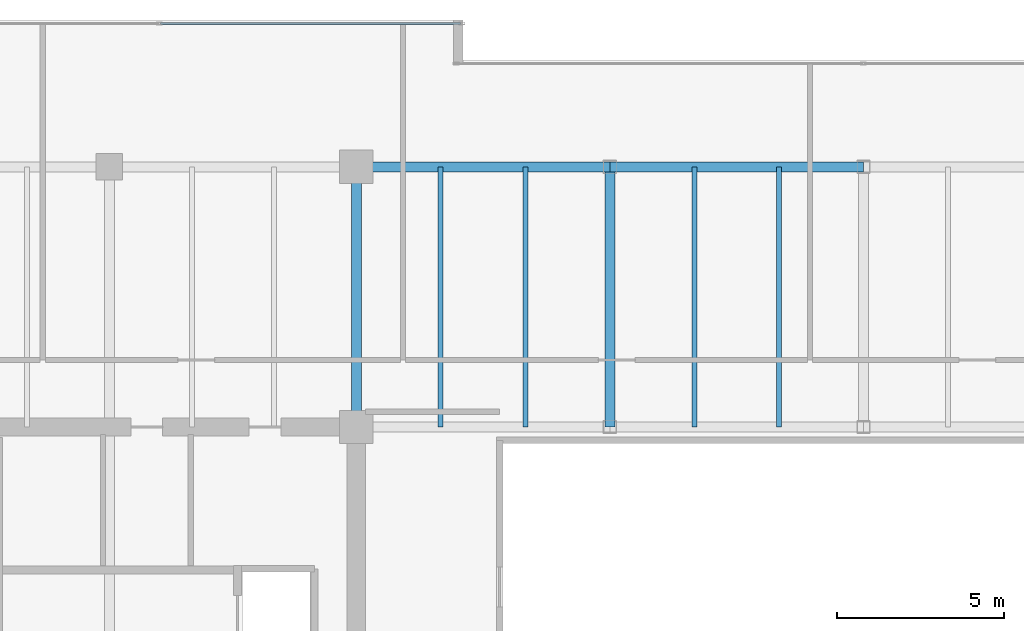
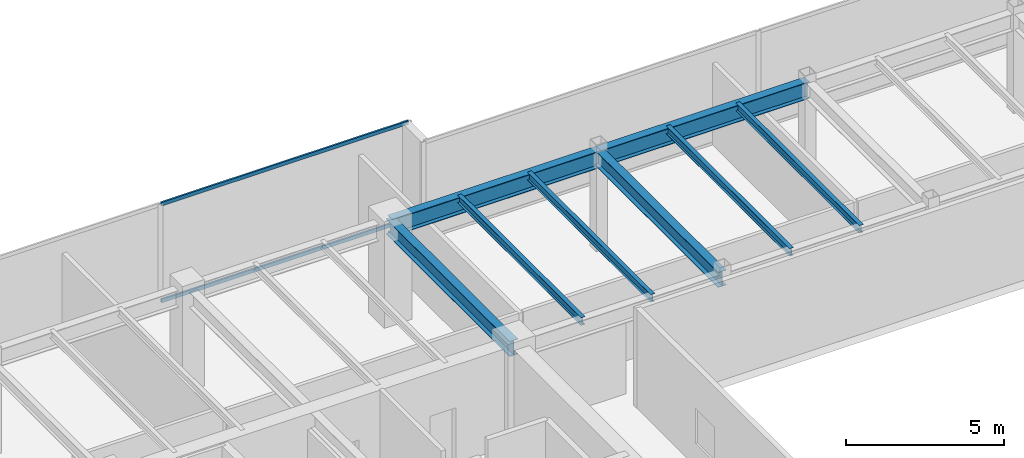
# One storey, part 16 of 33: 8 beams, 2 members, 1 element without a shape of its own.
"""IFC4 building model written with IfcOpenShell, lengths in metres."""

from ifc_helpers import new_model, si_unit, direction, frame, origin, origin_2d, place, context, subcontext, project, spatial, hollow_rectangle, i_section, extrude, source, transform, mapped, material, layer, layer_set, material_profile, profile_set, type_object, type_shapes, element, aggregate, save


model = new_model("IFC4")

# Units and contexts
model_context = context("Model", 3, precision=1e-05, world=origin(), true_north=direction((0.0, 1.0)))
body_context = subcontext(model_context, "Body", "Model", "MODEL_VIEW")
ifc_project = project(units=[si_unit("LENGTHUNIT", "METRE"), si_unit("AREAUNIT", "SQUARE_METRE"), si_unit("VOLUMEUNIT", "CUBIC_METRE"), si_unit("PLANEANGLEUNIT", "RADIAN"), si_unit("MASSUNIT", "GRAM", prefix="KILO")], contexts=[model_context])

# Site, building, storey
site_placement = place(None, origin())
site = spatial("IfcSite", under=ifc_project, at=site_placement, CompositionType="ELEMENT")
building_placement = place(site_placement, origin())
building = spatial("IfcBuilding", under=site, at=building_placement, Name="Haelvirn Gate Laboratories", CompositionType="ELEMENT")
storey_placement = place(building_placement, frame((0.0, 0.0, 230.10009765625)))
storey = spatial("IfcBuildingStorey", under=building, at=storey_placement, Name="L55", CompositionType="ELEMENT", Elevation=230.10009765625)

# Beams
ifc_material_1 = material(Name="Steel SM355", Category="steel")
ifc_material_profile_1 = material_profile(ifc_material_1, i_section(OverallWidth=0.14990234375, OverallDepth=0.300048828125, WebThickness=0.006591796875, FlangeThickness=0.009033203125, at=origin_2d()), Name="H-300x150x6.5x9")
ifc_profile_set_1 = profile_set([ifc_material_profile_1], Name="Steel SM355")
beam_type_1 = type_object("IfcBeamType", Name="BM-J-300", PredefinedType="JOIST", material=ifc_profile_set_1)
shared_shape_1 = source(origin(), body_context, "Body", "SweptSolid", [
    extrude(i_section(OverallWidth=0.14990234375, OverallDepth=0.300048828125, WebThickness=0.006591796875, FlangeThickness=0.009033203125, at=origin_2d()), origin(), (0.0, 0.0, 1.0), 7.800048828125),
])
type_shapes(beam_type_1, [shared_shape_1])
for number, where, z_axis, x_axis, name in (
    (1, (24.72998046875, 33.800048828125, 3.64990234375), (0.0, 1.0, 0.0), (-1.0, 0.0, 0.0), "L55 Composite Lab Joist North X24.73"),
    (2, (27.27001953125, 33.800048828125, 3.64990234375), (0.0, 1.0, 0.0), (-1.0, 0.0, 0.0), "L55 Composite Lab Joist North X27.27"),
    (3, (32.330078125, 33.800048828125, 3.64990234375), (0.0, 1.0, 0.0), (-1.0, 0.0, 0.0), "L55 Composite Lab Joist North X32.33"),
    (4, (34.8701171875, 33.800048828125, 3.64990234375), (0.0, 1.0, 0.0), (-1.0, 0.0, 0.0), "L55 Composite Lab Joist North X34.87"),
):
    element("IfcBeam", number, at=place(storey_placement, frame(where, z_axis=z_axis, x_axis=x_axis)), inside=storey, type_object=beam_type_1, Name=name, PredefinedType="JOIST", context=body_context, shape_type="MappedRepresentation", body=[
        mapped(shared_shape_1, transform((0.0, 0.0, 0.0), scale=1.0)),
    ])
ifc_material_profile_2 = material_profile(ifc_material_1, i_section(OverallWidth=0.300048828125, OverallDepth=0.587890625, WebThickness=0.011962890625, FlangeThickness=0.02001953125, at=origin_2d()), Name="H-588x300x12x20")
ifc_profile_set_2 = profile_set([ifc_material_profile_2], Name="Steel SM355")
beam_type_2 = type_object("IfcBeamType", Name="BM-G-588", PredefinedType="BEAM", material=ifc_profile_set_2)
shared_shape_2 = source(origin(), body_context, "Body", "SweptSolid", [
    extrude(i_section(OverallWidth=0.300048828125, OverallDepth=0.587890625, WebThickness=0.011962890625, FlangeThickness=0.02001953125, at=origin_2d()), origin(), (0.0, 0.0, 1.0), 7.800048828125),
])
type_shapes(beam_type_2, [shared_shape_2])
for number, where, z_axis, x_axis, name in (
    (5, (22.199951171875, 33.800048828125, 3.505859375), (0.0, 1.0, 0.0), (-1.0, 0.0, 0.0), "L55 Frame Girder X22.2 (33.8-41.6)"),
    (6, (29.800048828125, 33.800048828125, 3.505859375), (0.0, 1.0, 0.0), (-1.0, 0.0, 0.0), "L55 Frame Girder X29.8 (33.8-41.6)"),
):
    element("IfcBeam", number, at=place(storey_placement, frame(where, z_axis=z_axis, x_axis=x_axis)), inside=storey, type_object=beam_type_2, Name=name, PredefinedType="BEAM", context=body_context, shape_type="MappedRepresentation", body=[
        mapped(shared_shape_2, transform((0.0, 0.0, 0.0), scale=1.0)),
    ])
ifc_material_profile_3 = material_profile(ifc_material_1, i_section(OverallWidth=0.300048828125, OverallDepth=0.64990234375, WebThickness=0.012939453125, FlangeThickness=0.02197265625, at=origin_2d()), Name="H-650x300x13x22")
ifc_profile_set_3 = profile_set([ifc_material_profile_3], Name="Steel SM355")
beam_type_3 = type_object("IfcBeamType", Name="BM-G-650", PredefinedType="BEAM", material=ifc_profile_set_3)
shared_shape_3 = source(origin(), body_context, "Body", "SweptSolid", [
    extrude(i_section(OverallWidth=0.300048828125, OverallDepth=0.64990234375, WebThickness=0.012939453125, FlangeThickness=0.02197265625, at=origin_2d()), origin(), (0.0, 0.0, 1.0), 7.60009765625),
])
beam_1_placement = place(storey_placement, frame((22.199951171875, 41.60009765625, 3.474853515625), z_axis=(1.0, 0.0, 0.0), x_axis=(0.0, 1.0, 0.0)))
element("IfcBeam", 7, at=beam_1_placement, inside=storey, type_object=beam_type_3, Name="L55 Primary Girder Y41.6 (22.2-29.8)", PredefinedType="BEAM", context=body_context, shape_type="MappedRepresentation", body=[
    mapped(shared_shape_3, transform((0.0, 0.0, 0.0), scale=1.0)),
])
shared_shape_4 = source(origin(), body_context, "Body", "SweptSolid", [
    extrude(i_section(OverallWidth=0.300048828125, OverallDepth=0.64990234375, WebThickness=0.012939453125, FlangeThickness=0.02197265625, at=origin_2d()), origin(), (0.0, 0.0, 1.0), 7.599853515625),
])
type_shapes(beam_type_3, [shared_shape_3, shared_shape_4])
beam_2_placement = place(storey_placement, frame((29.800048828125, 41.60009765625, 3.474853515625), z_axis=(1.0, 0.0, 0.0), x_axis=(0.0, 1.0, 0.0)))
element("IfcBeam", 8, at=beam_2_placement, inside=storey, type_object=beam_type_3, Name="L55 Primary Girder Y41.6 (29.8-37.4)", PredefinedType="BEAM", context=body_context, shape_type="MappedRepresentation", body=[
    mapped(shared_shape_4, transform((0.0, 0.0, 0.0), scale=1.0)),
])

# Curtain wall, members
ifc_material_2 = material(Name="Anodised bronze unitised aluminium & triple low-E glass", Category="aluminium")
ifc_layer = layer(ifc_material_2, 0.176025390625, Name="CW-SYS-4")
ifc_layer_set = layer_set([ifc_layer], Name="Anodised bronze unitised aluminium & triple low-E glass")
curtain_wall_type = type_object("IfcCurtainWallType", Name="CW-SYS-4", PredefinedType="NOTDEFINED", material=ifc_layer_set)
curtain_wall_placement = place(storey_placement, origin())
curtain_wall = element("IfcCurtainWall", 9, at=curtain_wall_placement, inside=storey, type_object=curtain_wall_type, Name="L55 Unitised Curtain Wall CW-L55-P0-E14-1", PredefinedType="NOTDEFINED")
ifc_material_3 = material(Name="Extruded aluminium 6063-T6 (anodised bronze)", Category="aluminium")
ifc_material_profile_4 = material_profile(ifc_material_3, hollow_rectangle(XDim=0.06494140625, YDim=0.139892578125, WallThickness=0.00390625, at=origin_2d()), Name="CWT-140x65x4")
ifc_profile_set_4 = profile_set([ifc_material_profile_4], Name="Extruded aluminium 6063-T6 (anodised bronze)")
member_type = type_object("IfcMemberType", Name="CWT-T140", PredefinedType="USERDEFINED", material=ifc_profile_set_4)
shared_shape_5 = source(origin(), body_context, "Body", "SweptSolid", [
    extrude(hollow_rectangle(XDim=0.06494140625, YDim=0.139892578125, WallThickness=0.00390625, at=origin_2d()), origin(), (0.0, 0.0, 1.0), 8.9951171875),
])
type_shapes(member_type, [shared_shape_5])
member_1_placement = place(storey_placement, frame((16.3349609375, 45.89990234375, 0.032470703125), z_axis=(1.0, 0.0, 0.0), x_axis=(0.0, 1.0, 0.0)))
member_1 = element("IfcMember", 10, at=member_1_placement, type_object=member_type, Name="CW4 transom 2.1", ObjectType="TRANSOM", PredefinedType="USERDEFINED", context=body_context, shape_type="MappedRepresentation", body=[
    mapped(shared_shape_5, transform((0.0, 0.0, 0.0), scale=1.0)),
])
member_2_placement = place(storey_placement, frame((16.3349609375, 45.89990234375, 3.767333984375), z_axis=(1.0, 0.0, 0.0), x_axis=(0.0, 1.0, 0.0)))
member_2 = element("IfcMember", 11, at=member_2_placement, type_object=member_type, Name="CW4 transom 2.2", ObjectType="TRANSOM", PredefinedType="USERDEFINED", context=body_context, shape_type="MappedRepresentation", body=[
    mapped(shared_shape_5, transform((0.0, 0.0, 0.0), scale=1.0)),
])
aggregate(curtain_wall, [member_1, member_2])

save(model, "model.ifc")
